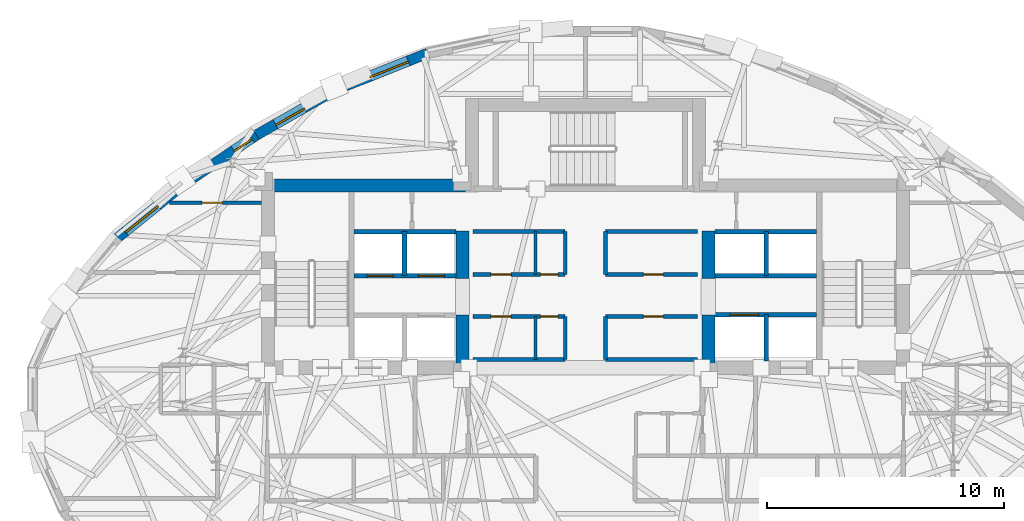
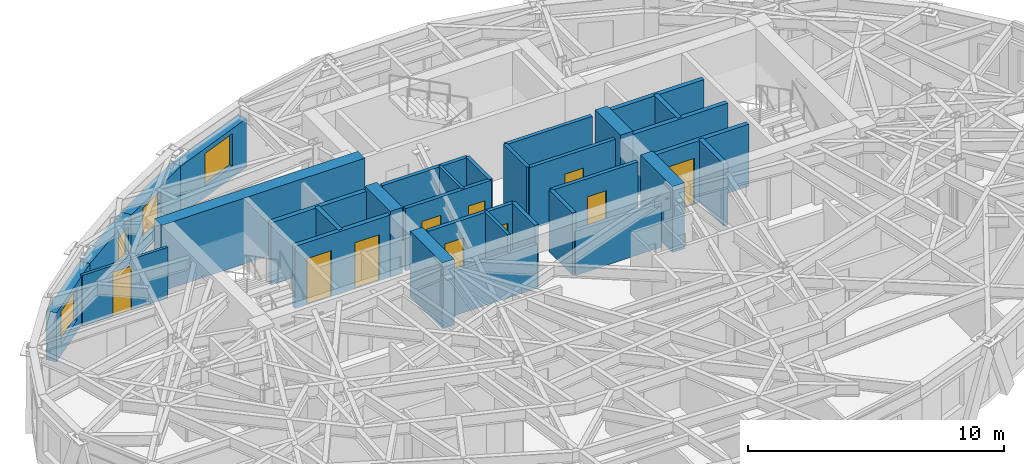
# One storey, part 8 of 14: 32 walls, 10 doors, 4 windows, 14 openings.
"""IFC4 building model written with IfcOpenShell, lengths in metres."""

from ifc_helpers import new_model, si_unit, direction, frame, frame_2d, origin, place, context, subcontext, project, spatial, rectangle, extrude, material, layer, layer_set, type_object, element, fill, save


model = new_model("IFC4")

# Units and contexts
model_context = context("Model", 3, precision=1e-05, world=origin(), true_north=direction((0.0, 1.0)))
body_context = subcontext(model_context, "Body", "Model", "MODEL_VIEW")
ifc_project = project(units=[si_unit("LENGTHUNIT", "METRE"), si_unit("AREAUNIT", "SQUARE_METRE"), si_unit("VOLUMEUNIT", "CUBIC_METRE"), si_unit("PLANEANGLEUNIT", "RADIAN"), si_unit("MASSUNIT", "GRAM", prefix="KILO")], contexts=[model_context])

# Site, building, storey
site_placement = place(None, origin())
site = spatial("IfcSite", under=ifc_project, at=site_placement, CompositionType="ELEMENT")
building_placement = place(site_placement, origin())
building = spatial("IfcBuilding", under=site, at=building_placement, Name="Keldmark Tower", CompositionType="ELEMENT")
storey_placement = place(building_placement, frame((0.0, 0.0, 213.14990234375)))
storey = spatial("IfcBuildingStorey", under=building, at=storey_placement, Name="L59", CompositionType="ELEMENT", Elevation=213.14990234375)

# Walls
ifc_material_1 = material(Name="Concrete C50/60", Category="concrete")
ifc_layer_1 = layer(ifc_material_1, 0.550048828125)
ifc_layer_set_1 = layer_set([ifc_layer_1], Name="Concrete C50/60")
wall_type_1 = type_object("IfcWallType", Name="High-Rise Core Shear Wall 550 mm", PredefinedType="SHEAR", material=ifc_layer_set_1)
wall_1_placement = place(storey_placement, frame((-13.699951171875, 9.27490234375, 0.0), z_axis=(0.0, 0.0, 1.0), x_axis=(1.0, 0.0, 0.0)))
element("IfcWall", 1, at=wall_1_placement, inside=storey, type_object=wall_type_1, Name="L59 West Core North Shear Wall", PredefinedType="SHEAR", context=body_context, shape_type="SweptSolid", body=[
    extrude(rectangle(XDim=9.175048828125, YDim=0.550048828125, at=frame_2d((4.58740234375, 0.0))), origin(), (0.0, 0.0, 1.0), 3.150146484375),
])
wall_2_placement = place(storey_placement, frame((-5.199951171875, 1.300048828125, 0.0), z_axis=(0.0, 0.0, 1.0), x_axis=(0.0, 1.0, 0.0)))
element("IfcWall", 2, at=wall_2_placement, inside=storey, type_object=wall_type_1, Name="L59 West Core Inner Shear Pier South", PredefinedType="SHEAR", context=body_context, shape_type="SweptSolid", body=[
    extrude(rectangle(XDim=2.5, YDim=0.550048828125, at=frame_2d((1.25, 0.0))), origin(), (0.0, 0.0, 1.0), 3.150146484375),
])
wall_3_placement = place(storey_placement, frame((-5.199951171875, 5.35009765625, 0.0), z_axis=(0.0, 0.0, 1.0), x_axis=(0.0, 1.0, 0.0)))
element("IfcWall", 3, at=wall_3_placement, inside=storey, type_object=wall_type_1, Name="L59 West Core Inner Shear Pier North", PredefinedType="SHEAR", context=body_context, shape_type="SweptSolid", body=[
    extrude(rectangle(XDim=2.0, YDim=0.550048828125, at=frame_2d((1.0, 0.0))), origin(), (0.0, 0.0, 1.0), 3.150146484375),
])
wall_4_placement = place(storey_placement, frame((5.199951171875, 1.300048828125, 0.0), z_axis=(0.0, 0.0, 1.0), x_axis=(0.0, 1.0, 0.0)))
element("IfcWall", 4, at=wall_4_placement, inside=storey, type_object=wall_type_1, Name="L59 East Core Inner Shear Pier South", PredefinedType="SHEAR", context=body_context, shape_type="SweptSolid", body=[
    extrude(rectangle(XDim=2.5, YDim=0.550048828125, at=frame_2d((1.25, 0.0))), origin(), (0.0, 0.0, 1.0), 3.150146484375),
])
wall_5_placement = place(storey_placement, frame((5.199951171875, 5.35009765625, 0.0), z_axis=(0.0, 0.0, 1.0), x_axis=(0.0, 1.0, 0.0)))
element("IfcWall", 5, at=wall_5_placement, inside=storey, type_object=wall_type_1, Name="L59 East Core Inner Shear Pier North", PredefinedType="SHEAR", context=body_context, shape_type="SweptSolid", body=[
    extrude(rectangle(XDim=2.0, YDim=0.550048828125, at=frame_2d((1.0, 0.0))), origin(), (0.0, 0.0, 1.0), 3.150146484375),
])
ifc_material_2 = material(Name="Acoustic Gypsum Board Interior Partition", Category="gypsum")
ifc_layer_2 = layer(ifc_material_2, 0.1298828125)
ifc_layer_set_2 = layer_set([ifc_layer_2], Name="Acoustic Gypsum Board Interior Partition")
wall_type_2 = type_object("IfcWallType", Name="Interior Partition 130 mm", PredefinedType="PARTITIONING", material=ifc_layer_set_2)
wall_6_placement = place(storey_placement, frame((-2.10009765625, 1.919921875, 0.0), z_axis=(0.0, 0.0, 1.0), x_axis=(0.0, 1.0, 0.0)))
element("IfcWall", 6, at=wall_6_placement, inside=storey, type_object=wall_type_2, Name="L59 Interior Partition 130 mm REC-LW-M", PredefinedType="PARTITIONING", context=body_context, shape_type="SweptSolid", body=[
    extrude(rectangle(XDim=1.820068359375, YDim=0.1298828125, at=frame_2d((0.91015625, 0.0))), origin(), (0.0, 0.0, 1.0), 2.97021484375),
])
wall_7_placement = place(storey_placement, frame((-2.10009765625, 5.52001953125, 0.0), z_axis=(0.0, 0.0, 1.0), x_axis=(0.0, 1.0, 0.0)))
element("IfcWall", 7, at=wall_7_placement, inside=storey, type_object=wall_type_2, Name="L59 Interior Partition 130 mm REC-MW-M", PredefinedType="PARTITIONING", context=body_context, shape_type="SweptSolid", body=[
    extrude(rectangle(XDim=1.81005859375, YDim=0.1298828125, at=frame_2d((0.905029296875, 0.0))), origin(), (0.0, 0.0, 1.0), 2.97021484375),
])

# Wall, opening, door
wall_8_placement = place(storey_placement, frame((-17.581787109375, 8.550048828125, 0.0), z_axis=(0.0, 0.0, 1.0), x_axis=(1.0, 0.0, 0.0)))
wall_8 = element("IfcWall", 8, at=wall_8_placement, inside=storey, type_object=wall_type_2, Name="L59 Interior Partition 130 mm UC-NDIV2", PredefinedType="PARTITIONING", context=body_context, shape_type="SweptSolid", body=[
    extrude(rectangle(XDim=3.8818359375, YDim=0.1298828125, at=frame_2d((1.94091796875, 0.0))), origin(), (0.0, 0.0, 1.0), 2.423095703125),
])
opening_1_placement = place(wall_8_placement, frame((1.38134765625, 0.0, 0.0)))
opening_1 = element("IfcOpeningElement", 9, at=opening_1_placement, cuts=wall_8, Name="Opening D-IN085", PredefinedType="OPENING", context=body_context, shape_type="SweptSolid", body=[
    extrude(rectangle(XDim=0.85009765625, YDim=2.10009765625, at=frame_2d((0.425048828125, 1.050048828125))), frame((0.0, 0.074951171875, 0.0), z_axis=(0.0, -1.0, 0.0), x_axis=(1.0, 0.0, 0.0)), (0.0, 0.0, 1.0), 0.14990234375),
])
ifc_material_3 = material(Name="Painted Architectural Wood", Category="wood")
door_type_1 = type_object("IfcDoorType", Name="Interior Door 850x2100", OperationType="NOTDEFINED", PredefinedType="DOOR", material=ifc_material_3)
door_1_placement = place(opening_1_placement, origin())
door_1 = element("IfcDoor", 10, at=door_1_placement, inside=storey, type_object=door_type_1, Name="L59 Interior Door 850x2100 D-UC-BR2-L59", OperationType="SINGLE_SWING_RIGHT", OverallHeight=2.10009765625, OverallWidth=0.85009765625, PredefinedType="DOOR", context=body_context, shape_type="SweptSolid", body=[
    extrude(rectangle(XDim=0.85009765625, YDim=2.10009765625, at=frame_2d((0.425048828125, 1.050048828125))), frame((0.0, 0.02490234375, 0.0), z_axis=(0.0, -1.0, 0.0), x_axis=(1.0, 0.0, 0.0)), (0.0, 0.0, 1.0), 0.050048828125),
])
fill(opening_1, door_1)

# Wall
ifc_material_4 = material(Name="Type X Fire-Rated Gypsum Partition Assembly", Category="gypsum")
ifc_layer_3 = layer(ifc_material_4, 0.1650390625)
ifc_layer_set_3 = layer_set([ifc_layer_3], Name="Type X Fire-Rated Gypsum Partition Assembly")
wall_type_3 = type_object("IfcWallType", Name="Rated Partition 165 mm", PredefinedType="PARTITIONING", material=ifc_layer_set_3)
wall_9_placement = place(storey_placement, frame((-4.739990234375, 1.919921875, 0.0), z_axis=(0.0, 0.0, 1.0), x_axis=(1.0, 0.0, 0.0)))
element("IfcWall", 11, at=wall_9_placement, inside=storey, type_object=wall_type_3, Name="L59 Rated Partition 165 mm REC-LW-S", PredefinedType="PARTITIONING", context=body_context, shape_type="SweptSolid", body=[
    extrude(rectangle(XDim=3.889892578125, YDim=0.1650390625, at=frame_2d((1.94482421875, 0.0))), origin(), (0.0, 0.0, 1.0), 2.110107421875),
])

# Wall, openings, doors
wall_10_placement = place(storey_placement, frame((-4.739990234375, 3.739990234375, 0.0), z_axis=(0.0, 0.0, 1.0), x_axis=(1.0, 0.0, 0.0)))
wall_10 = element("IfcWall", 12, at=wall_10_placement, inside=storey, type_object=wall_type_3, Name="L59 Rated Partition 165 mm REC-LW-N", PredefinedType="PARTITIONING", context=body_context, shape_type="SweptSolid", body=[
    extrude(rectangle(XDim=3.889892578125, YDim=0.1650390625, at=frame_2d((1.94482421875, 0.0))), origin(), (0.0, 0.0, 1.0), 2.97021484375),
])
opening_2_placement = place(wall_10_placement, frame((0.75, 0.0, 0.0)))
opening_2 = element("IfcOpeningElement", 13, at=opening_2_placement, cuts=wall_10, Name="Opening D-SV085", PredefinedType="OPENING", context=body_context, shape_type="SweptSolid", body=[
    extrude(rectangle(XDim=0.85009765625, YDim=2.10009765625, at=frame_2d((0.425048828125, 1.050048828125))), frame((0.0, 0.092529296875, 0.0), z_axis=(0.0, -1.0, 0.0), x_axis=(1.0, 0.0, 0.0)), (0.0, 0.0, 1.0), 0.18505859375),
])
opening_3_placement = place(wall_10_placement, frame((2.840087890625, 0.0, 0.0)))
opening_3 = element("IfcOpeningElement", 14, at=opening_3_placement, cuts=wall_10, Name="Opening D-RS075", PredefinedType="OPENING", context=body_context, shape_type="SweptSolid", body=[
    extrude(rectangle(XDim=0.75, YDim=2.10009765625, at=frame_2d((0.375, 1.050048828125))), frame((0.0, 0.092529296875, 0.0), z_axis=(0.0, -1.0, 0.0), x_axis=(1.0, 0.0, 0.0)), (0.0, 0.0, 1.0), 0.18505859375),
])
ifc_material_5 = material(Name="Galvanized Fire-Rated Access Leaf", Category="metal")
door_type_2 = type_object("IfcDoorType", Name="Riser Access Door 750x2100", OperationType="NOTDEFINED", PredefinedType="DOOR", material=ifc_material_5)
door_2_placement = place(opening_3_placement, origin())
door_2 = element("IfcDoor", 15, at=door_2_placement, inside=storey, type_object=door_type_2, Name="L59 Riser Access Door 750x2100 D-RECLW2-L59", OperationType="SINGLE_SWING_RIGHT", OverallHeight=2.10009765625, OverallWidth=0.75, PredefinedType="DOOR", context=body_context, shape_type="SweptSolid", body=[
    extrude(rectangle(XDim=0.75, YDim=2.10009765625, at=frame_2d((0.375, 1.050048828125))), frame((0.0, 0.02490234375, 0.0), z_axis=(0.0, -1.0, 0.0), x_axis=(1.0, 0.0, 0.0)), (0.0, 0.0, 1.0), 0.050048828125),
])
fill(opening_3, door_2)
ifc_material_6 = material(Name="Painted Hollow Metal Door Assembly", Category="metal")
door_type_3 = type_object("IfcDoorType", Name="Service Door 850x2100", OperationType="NOTDEFINED", PredefinedType="DOOR", material=ifc_material_6)
door_3_placement = place(opening_2_placement, origin())
door_3 = element("IfcDoor", 16, at=door_3_placement, inside=storey, type_object=door_type_3, Name="L59 Service Door 850x2100 D-RECLW1-L59", OperationType="SINGLE_SWING_LEFT", OverallHeight=2.10009765625, OverallWidth=0.85009765625, PredefinedType="DOOR", context=body_context, shape_type="SweptSolid", body=[
    extrude(rectangle(XDim=0.85009765625, YDim=2.10009765625, at=frame_2d((0.425048828125, 1.050048828125))), frame((0.0, 0.02490234375, 0.0), z_axis=(0.0, -1.0, 0.0), x_axis=(1.0, 0.0, 0.0)), (0.0, 0.0, 1.0), 0.050048828125),
])
fill(opening_2, door_3)

# Walls
wall_11_placement = place(storey_placement, frame((-0.85009765625, 1.919921875, 0.0), z_axis=(0.0, 0.0, 1.0), x_axis=(0.0, 1.0, 0.0)))
element("IfcWall", 17, at=wall_11_placement, inside=storey, type_object=wall_type_3, Name="L59 Rated Partition 165 mm REC-LW-E", PredefinedType="PARTITIONING", context=body_context, shape_type="SweptSolid", body=[
    extrude(rectangle(XDim=1.820068359375, YDim=0.1650390625, at=frame_2d((0.91015625, 0.0))), origin(), (0.0, 0.0, 1.0), 2.97021484375),
])
wall_12_placement = place(storey_placement, frame((0.85009765625, 1.919921875, 0.0), z_axis=(0.0, 0.0, 1.0), x_axis=(1.0, 0.0, 0.0)))
element("IfcWall", 18, at=wall_12_placement, inside=storey, type_object=wall_type_3, Name="L59 Rated Partition 165 mm REC-LE-S", PredefinedType="PARTITIONING", context=body_context, shape_type="SweptSolid", body=[
    extrude(rectangle(XDim=3.889892578125, YDim=0.1650390625, at=frame_2d((1.94482421875, 0.0))), origin(), (0.0, 0.0, 1.0), 2.110107421875),
])

# Wall, opening, door
wall_13_placement = place(storey_placement, frame((0.85009765625, 3.739990234375, 0.0), z_axis=(0.0, 0.0, 1.0), x_axis=(1.0, 0.0, 0.0)))
wall_13 = element("IfcWall", 19, at=wall_13_placement, inside=storey, type_object=wall_type_3, Name="L59 Rated Partition 165 mm REC-LE-N", PredefinedType="PARTITIONING", context=body_context, shape_type="SweptSolid", body=[
    extrude(rectangle(XDim=3.889892578125, YDim=0.1650390625, at=frame_2d((1.94482421875, 0.0))), origin(), (0.0, 0.0, 1.0), 2.97021484375),
])
opening_4_placement = place(wall_13_placement, frame((1.60009765625, 0.0, 0.0)))
opening_4 = element("IfcOpeningElement", 20, at=opening_4_placement, cuts=wall_13, Name="Opening D-SV085", PredefinedType="OPENING", context=body_context, shape_type="SweptSolid", body=[
    extrude(rectangle(XDim=0.85009765625, YDim=2.10009765625, at=frame_2d((0.425048828125, 1.050048828125))), frame((0.0, 0.092529296875, 0.0), z_axis=(0.0, -1.0, 0.0), x_axis=(1.0, 0.0, 0.0)), (0.0, 0.0, 1.0), 0.18505859375),
])
door_4_placement = place(opening_4_placement, origin())
door_4 = element("IfcDoor", 21, at=door_4_placement, inside=storey, type_object=door_type_3, Name="L59 Service Door 850x2100 D-RECLE1-L59", OperationType="SINGLE_SWING_LEFT", OverallHeight=2.10009765625, OverallWidth=0.85009765625, PredefinedType="DOOR", context=body_context, shape_type="SweptSolid", body=[
    extrude(rectangle(XDim=0.85009765625, YDim=2.10009765625, at=frame_2d((0.425048828125, 1.050048828125))), frame((0.0, 0.02490234375, 0.0), z_axis=(0.0, -1.0, 0.0), x_axis=(1.0, 0.0, 0.0)), (0.0, 0.0, 1.0), 0.050048828125),
])
fill(opening_4, door_4)

# Wall
wall_14_placement = place(storey_placement, frame((0.85009765625, 1.919921875, 0.0), z_axis=(0.0, 0.0, 1.0), x_axis=(0.0, 1.0, 0.0)))
element("IfcWall", 22, at=wall_14_placement, inside=storey, type_object=wall_type_3, Name="L59 Rated Partition 165 mm REC-LE-W", PredefinedType="PARTITIONING", context=body_context, shape_type="SweptSolid", body=[
    extrude(rectangle(XDim=1.820068359375, YDim=0.1650390625, at=frame_2d((0.91015625, 0.0))), origin(), (0.0, 0.0, 1.0), 2.97021484375),
])

# Wall, openings, doors
wall_15_placement = place(storey_placement, frame((-4.739990234375, 5.52001953125, 0.0), z_axis=(0.0, 0.0, 1.0), x_axis=(1.0, 0.0, 0.0)))
wall_15 = element("IfcWall", 23, at=wall_15_placement, inside=storey, type_object=wall_type_3, Name="L59 Rated Partition 165 mm REC-MW-S", PredefinedType="PARTITIONING", context=body_context, shape_type="SweptSolid", body=[
    extrude(rectangle(XDim=3.889892578125, YDim=0.1650390625, at=frame_2d((1.94482421875, 0.0))), origin(), (0.0, 0.0, 1.0), 2.97021484375),
])
opening_5_placement = place(wall_15_placement, frame((0.75, 0.0, 0.0)))
opening_5 = element("IfcOpeningElement", 24, at=opening_5_placement, cuts=wall_15, Name="Opening D-SV085", PredefinedType="OPENING", context=body_context, shape_type="SweptSolid", body=[
    extrude(rectangle(XDim=0.85009765625, YDim=2.10009765625, at=frame_2d((0.425048828125, 1.050048828125))), frame((0.0, 0.092529296875, 0.0), z_axis=(0.0, -1.0, 0.0), x_axis=(1.0, 0.0, 0.0)), (0.0, 0.0, 1.0), 0.18505859375),
])
opening_6_placement = place(wall_15_placement, frame((2.840087890625, 0.0, 0.0)))
opening_6 = element("IfcOpeningElement", 25, at=opening_6_placement, cuts=wall_15, Name="Opening D-RS075", PredefinedType="OPENING", context=body_context, shape_type="SweptSolid", body=[
    extrude(rectangle(XDim=0.75, YDim=2.10009765625, at=frame_2d((0.375, 1.050048828125))), frame((0.0, 0.092529296875, 0.0), z_axis=(0.0, -1.0, 0.0), x_axis=(1.0, 0.0, 0.0)), (0.0, 0.0, 1.0), 0.18505859375),
])
door_5_placement = place(opening_6_placement, origin())
door_5 = element("IfcDoor", 26, at=door_5_placement, inside=storey, type_object=door_type_2, Name="L59 Riser Access Door 750x2100 D-RECMW2-L59", OperationType="SINGLE_SWING_RIGHT", OverallHeight=2.10009765625, OverallWidth=0.75, PredefinedType="DOOR", context=body_context, shape_type="SweptSolid", body=[
    extrude(rectangle(XDim=0.75, YDim=2.10009765625, at=frame_2d((0.375, 1.050048828125))), frame((0.0, 0.02490234375, 0.0), z_axis=(0.0, -1.0, 0.0), x_axis=(1.0, 0.0, 0.0)), (0.0, 0.0, 1.0), 0.050048828125),
])
fill(opening_6, door_5)
door_6_placement = place(opening_5_placement, origin())
door_6 = element("IfcDoor", 27, at=door_6_placement, inside=storey, type_object=door_type_3, Name="L59 Service Door 850x2100 D-RECMW1-L59", OperationType="SINGLE_SWING_RIGHT", OverallHeight=2.10009765625, OverallWidth=0.85009765625, PredefinedType="DOOR", context=body_context, shape_type="SweptSolid", body=[
    extrude(rectangle(XDim=0.85009765625, YDim=2.10009765625, at=frame_2d((0.425048828125, 1.050048828125))), frame((0.0, 0.02490234375, 0.0), z_axis=(0.0, -1.0, 0.0), x_axis=(1.0, 0.0, 0.0)), (0.0, 0.0, 1.0), 0.050048828125),
])
fill(opening_5, door_6)

# Walls
wall_16_placement = place(storey_placement, frame((-4.739990234375, 7.330078125, 0.0), z_axis=(0.0, 0.0, 1.0), x_axis=(1.0, 0.0, 0.0)))
element("IfcWall", 28, at=wall_16_placement, inside=storey, type_object=wall_type_3, Name="L59 Rated Partition 165 mm REC-MW-N", PredefinedType="PARTITIONING", context=body_context, shape_type="SweptSolid", body=[
    extrude(rectangle(XDim=3.889892578125, YDim=0.1650390625, at=frame_2d((1.94482421875, 0.0))), origin(), (0.0, 0.0, 1.0), 2.97021484375),
])
wall_17_placement = place(storey_placement, frame((-0.85009765625, 5.52001953125, 0.0), z_axis=(0.0, 0.0, 1.0), x_axis=(0.0, 1.0, 0.0)))
element("IfcWall", 29, at=wall_17_placement, inside=storey, type_object=wall_type_3, Name="L59 Rated Partition 165 mm REC-MW-E", PredefinedType="PARTITIONING", context=body_context, shape_type="SweptSolid", body=[
    extrude(rectangle(XDim=1.81005859375, YDim=0.1650390625, at=frame_2d((0.905029296875, 0.0))), origin(), (0.0, 0.0, 1.0), 2.97021484375),
])

# Wall, opening, door
wall_18_placement = place(storey_placement, frame((0.85009765625, 5.52001953125, 0.0), z_axis=(0.0, 0.0, 1.0), x_axis=(1.0, 0.0, 0.0)))
wall_18 = element("IfcWall", 30, at=wall_18_placement, inside=storey, type_object=wall_type_3, Name="L59 Rated Partition 165 mm REC-ME-S", PredefinedType="PARTITIONING", context=body_context, shape_type="SweptSolid", body=[
    extrude(rectangle(XDim=3.889892578125, YDim=0.1650390625, at=frame_2d((1.94482421875, 0.0))), origin(), (0.0, 0.0, 1.0), 2.97021484375),
])
opening_7_placement = place(wall_18_placement, frame((1.60009765625, 0.0, 0.0)))
opening_7 = element("IfcOpeningElement", 31, at=opening_7_placement, cuts=wall_18, Name="Opening D-SV085", PredefinedType="OPENING", context=body_context, shape_type="SweptSolid", body=[
    extrude(rectangle(XDim=0.85009765625, YDim=2.10009765625, at=frame_2d((0.425048828125, 1.050048828125))), frame((0.0, 0.092529296875, 0.0), z_axis=(0.0, -1.0, 0.0), x_axis=(1.0, 0.0, 0.0)), (0.0, 0.0, 1.0), 0.18505859375),
])
door_7_placement = place(opening_7_placement, origin())
door_7 = element("IfcDoor", 32, at=door_7_placement, inside=storey, type_object=door_type_3, Name="L59 Service Door 850x2100 D-RECME1-L59", OperationType="SINGLE_SWING_RIGHT", OverallHeight=2.10009765625, OverallWidth=0.85009765625, PredefinedType="DOOR", context=body_context, shape_type="SweptSolid", body=[
    extrude(rectangle(XDim=0.85009765625, YDim=2.10009765625, at=frame_2d((0.425048828125, 1.050048828125))), frame((0.0, 0.02490234375, 0.0), z_axis=(0.0, -1.0, 0.0), x_axis=(1.0, 0.0, 0.0)), (0.0, 0.0, 1.0), 0.050048828125),
])
fill(opening_7, door_7)

# Walls
wall_19_placement = place(storey_placement, frame((0.85009765625, 7.330078125, 0.0), z_axis=(0.0, 0.0, 1.0), x_axis=(1.0, 0.0, 0.0)))
element("IfcWall", 33, at=wall_19_placement, inside=storey, type_object=wall_type_3, Name="L59 Rated Partition 165 mm REC-ME-N", PredefinedType="PARTITIONING", context=body_context, shape_type="SweptSolid", body=[
    extrude(rectangle(XDim=3.889892578125, YDim=0.1650390625, at=frame_2d((1.94482421875, 0.0))), origin(), (0.0, 0.0, 1.0), 2.97021484375),
])
wall_20_placement = place(storey_placement, frame((0.85009765625, 5.52001953125, 0.0), z_axis=(0.0, 0.0, 1.0), x_axis=(0.0, 1.0, 0.0)))
element("IfcWall", 34, at=wall_20_placement, inside=storey, type_object=wall_type_3, Name="L59 Rated Partition 165 mm REC-ME-W", PredefinedType="PARTITIONING", context=body_context, shape_type="SweptSolid", body=[
    extrude(rectangle(XDim=1.81005859375, YDim=0.1650390625, at=frame_2d((0.905029296875, 0.0))), origin(), (0.0, 0.0, 1.0), 2.97021484375),
])

# Wall, openings, doors
ifc_material_7 = material(Name="Fire-Resistant Type X Gypsum Shaftliner Coreboard", Category="gypsum")
ifc_layer_4 = layer(ifc_material_7, 0.199951171875)
ifc_layer_set_4 = layer_set([ifc_layer_4], Name="Fire-Resistant Type X Gypsum Shaftliner Coreboard")
wall_type_4 = type_object("IfcWallType", Name="Shaft Wall 200 mm", PredefinedType="SOLIDWALL", material=ifc_layer_set_4)
wall_21_placement = place(storey_placement, frame((-9.780029296875, 5.469970703125, 0.0), z_axis=(0.0, 0.0, 1.0), x_axis=(1.0, 0.0, 0.0)))
wall_21 = element("IfcWall", 35, at=wall_21_placement, inside=storey, type_object=wall_type_4, Name="L59 Shaft Wall 200 mm HW-W-N", PredefinedType="SOLIDWALL", context=body_context, shape_type="SweptSolid", body=[
    extrude(rectangle(XDim=4.304931640625, YDim=0.199951171875, at=frame_2d((2.15234375, 0.0))), origin(), (0.0, 0.0, 1.0), 2.97021484375),
])
opening_8_placement = place(wall_21_placement, frame((0.550048828125, 0.0, 0.0)))
opening_8 = element("IfcOpeningElement", 36, at=opening_8_placement, cuts=wall_21, Name="Opening LD-110", PredefinedType="OPENING", context=body_context, shape_type="SweptSolid", body=[
    extrude(rectangle(XDim=1.10009765625, YDim=2.199951171875, at=frame_2d((0.550048828125, 1.10009765625))), frame((0.0, 0.10986328125, 0.0), z_axis=(0.0, -1.0, 0.0), x_axis=(1.0, 0.0, 0.0)), (0.0, 0.0, 1.0), 0.219970703125),
])
opening_9_placement = place(wall_21_placement, frame((2.719970703125, 0.0, 0.0)))
opening_9 = element("IfcOpeningElement", 37, at=opening_9_placement, cuts=wall_21, Name="Opening LD-110", PredefinedType="OPENING", context=body_context, shape_type="SweptSolid", body=[
    extrude(rectangle(XDim=1.10009765625, YDim=2.199951171875, at=frame_2d((0.550048828125, 1.10009765625))), frame((0.0, 0.10986328125, 0.0), z_axis=(0.0, -1.0, 0.0), x_axis=(1.0, 0.0, 0.0)), (0.0, 0.0, 1.0), 0.219970703125),
])
ifc_material_8 = material(Name="Brushed Bronze Hoistway Sliding Leaf", Category="metal")
door_type_4 = type_object("IfcDoorType", Name="Lift Landing Sliding Door 1100x2200", OperationType="SLIDING_TO_LEFT", PredefinedType="DOOR", material=ifc_material_8)
door_8_placement = place(opening_8_placement, origin())
door_8 = element("IfcDoor", 38, at=door_8_placement, inside=storey, type_object=door_type_4, Name="L59 Lift Landing Sliding Door 1100x2200 LD-EL-H1-L59", OperationType="SLIDING_TO_LEFT", OverallHeight=2.199951171875, OverallWidth=1.10009765625, PredefinedType="DOOR", context=body_context, shape_type="SweptSolid", body=[
    extrude(rectangle(XDim=1.10009765625, YDim=2.199951171875, at=frame_2d((0.550048828125, 1.10009765625))), frame((0.0, 0.02490234375, 0.0), z_axis=(0.0, -1.0, 0.0), x_axis=(1.0, 0.0, 0.0)), (0.0, 0.0, 1.0), 0.050048828125),
])
fill(opening_8, door_8)
door_9_placement = place(opening_9_placement, origin())
door_9 = element("IfcDoor", 39, at=door_9_placement, inside=storey, type_object=door_type_4, Name="L59 Lift Landing Sliding Door 1100x2200 LD-EL-H2-L59", OperationType="SLIDING_TO_LEFT", OverallHeight=2.199951171875, OverallWidth=1.10009765625, PredefinedType="DOOR", context=body_context, shape_type="SweptSolid", body=[
    extrude(rectangle(XDim=1.10009765625, YDim=2.199951171875, at=frame_2d((0.550048828125, 1.10009765625))), frame((0.0, 0.02490234375, 0.0), z_axis=(0.0, -1.0, 0.0), x_axis=(1.0, 0.0, 0.0)), (0.0, 0.0, 1.0), 0.050048828125),
])
fill(opening_9, door_9)

# Walls
wall_22_placement = place(storey_placement, frame((-9.780029296875, 7.330078125, 0.0), z_axis=(0.0, 0.0, 1.0), x_axis=(1.0, 0.0, 0.0)))
element("IfcWall", 40, at=wall_22_placement, inside=storey, type_object=wall_type_4, Name="L59 Shaft Wall 200 mm HW-W-TOP", PredefinedType="SOLIDWALL", context=body_context, shape_type="SweptSolid", body=[
    extrude(rectangle(XDim=4.304931640625, YDim=0.199951171875, at=frame_2d((2.15234375, 0.0))), origin(), (0.0, 0.0, 1.0), 2.97021484375),
])
wall_23_placement = place(storey_placement, frame((-7.64990234375, 5.469970703125, 0.0), z_axis=(0.0, 0.0, 1.0), x_axis=(0.0, 1.0, 0.0)))
element("IfcWall", 41, at=wall_23_placement, inside=storey, type_object=wall_type_4, Name="L59 Shaft Wall 200 mm HW-W-NM", PredefinedType="SOLIDWALL", context=body_context, shape_type="SweptSolid", body=[
    extrude(rectangle(XDim=1.860107421875, YDim=0.199951171875, at=frame_2d((0.93017578125, 0.0))), origin(), (0.0, 0.0, 1.0), 2.97021484375),
])

# Wall, opening, door
wall_24_placement = place(storey_placement, frame((5.47509765625, 3.820068359375, 0.0), z_axis=(0.0, 0.0, 1.0), x_axis=(1.0, 0.0, 0.0)))
wall_24 = element("IfcWall", 42, at=wall_24_placement, inside=storey, type_object=wall_type_4, Name="L59 Shaft Wall 200 mm HW-E-S", PredefinedType="SOLIDWALL", context=body_context, shape_type="SweptSolid", body=[
    extrude(rectangle(XDim=4.304931640625, YDim=0.199951171875, at=frame_2d((2.15234375, 0.0))), origin(), (0.0, 0.0, 1.0), 2.97021484375),
])
opening_10_placement = place(wall_24_placement, frame((0.64990234375, 0.0, 0.0)))
opening_10 = element("IfcOpeningElement", 43, at=opening_10_placement, cuts=wall_24, Name="Opening LD-120", PredefinedType="OPENING", context=body_context, shape_type="SweptSolid", body=[
    extrude(rectangle(XDim=1.199951171875, YDim=2.199951171875, at=frame_2d((0.60009765625, 1.10009765625))), frame((0.0, 0.10986328125, 0.0), z_axis=(0.0, -1.0, 0.0), x_axis=(1.0, 0.0, 0.0)), (0.0, 0.0, 1.0), 0.219970703125),
])
ifc_material_9 = material(Name="Heavy-Duty Brushed Metal Hoistway Sliding Leaf", Category="metal")
door_type_5 = type_object("IfcDoorType", Name="Service Lift Sliding Door 1200x2200", OperationType="SLIDING_TO_RIGHT", PredefinedType="DOOR", material=ifc_material_9)
door_10_placement = place(opening_10_placement, origin())
door_10 = element("IfcDoor", 44, at=door_10_placement, inside=storey, type_object=door_type_5, Name="L59 Service Lift Sliding Door 1200x2200 LD-EL-SV1-L59", OperationType="SLIDING_TO_RIGHT", OverallHeight=2.199951171875, OverallWidth=1.199951171875, PredefinedType="DOOR", context=body_context, shape_type="SweptSolid", body=[
    extrude(rectangle(XDim=1.199951171875, YDim=2.199951171875, at=frame_2d((0.60009765625, 1.10009765625))), frame((0.0, 0.02490234375, 0.0), z_axis=(0.0, -1.0, 0.0), x_axis=(1.0, 0.0, 0.0)), (0.0, 0.0, 1.0), 0.050048828125),
])
fill(opening_10, door_10)

# Walls
wall_25_placement = place(storey_placement, frame((7.64990234375, 1.85009765625, 0.0), z_axis=(0.0, 0.0, 1.0), x_axis=(0.0, 1.0, 0.0)))
element("IfcWall", 45, at=wall_25_placement, inside=storey, type_object=wall_type_4, Name="L59 Shaft Wall 200 mm HW-E-M", PredefinedType="SOLIDWALL", context=body_context, shape_type="SweptSolid", body=[
    extrude(rectangle(XDim=1.969970703125, YDim=0.199951171875, at=frame_2d((0.98486328125, 0.0))), origin(), (0.0, 0.0, 1.0), 2.97021484375),
])
for number, where, z_axis, x_axis, name in (
    (46, (5.47509765625, 5.469970703125, 0.0), (0.0, 0.0, 1.0), (1.0, 0.0, 0.0), "L59 Shaft Wall 200 mm HW-E-N"),
    (47, (5.47509765625, 7.330078125, 0.0), (0.0, 0.0, 1.0), (1.0, 0.0, 0.0), "L59 Shaft Wall 200 mm HW-E-TOP"),
):
    element("IfcWall", number, at=place(storey_placement, frame(where, z_axis=z_axis, x_axis=x_axis)), inside=storey, type_object=wall_type_4, Name=name, PredefinedType="SOLIDWALL", context=body_context, shape_type="SweptSolid", body=[
        extrude(rectangle(XDim=4.304931640625, YDim=0.199951171875, at=frame_2d((2.15234375, 0.0))), origin(), (0.0, 0.0, 1.0), 2.97021484375),
    ])
wall_26_placement = place(storey_placement, frame((7.64990234375, 5.469970703125, 0.0), z_axis=(0.0, 0.0, 1.0), x_axis=(0.0, 1.0, 0.0)))
element("IfcWall", 48, at=wall_26_placement, inside=storey, type_object=wall_type_4, Name="L59 Shaft Wall 200 mm HW-E-NM", PredefinedType="SOLIDWALL", context=body_context, shape_type="SweptSolid", body=[
    extrude(rectangle(XDim=1.860107421875, YDim=0.199951171875, at=frame_2d((0.93017578125, 0.0))), origin(), (0.0, 0.0, 1.0), 2.97021484375),
])

# Wall, opening, window
ifc_material_10 = material(Name="Ironspot Manganese Brick and Kasota Buff Limestone Spandrel Assembly", Category="masonry")
ifc_layer_5 = layer(ifc_material_10, 0.43994140625)
ifc_layer_set_5 = layer_set([ifc_layer_5], Name="Ironspot Manganese Brick and Kasota Buff Limestone Spandrel Assembly")
wall_type_5 = type_object("IfcWallType", Name="Tower Brick Pier and Spandrel Wall 440 mm", PredefinedType="STANDARD", material=ifc_layer_set_5)
wall_27_placement = place(storey_placement, frame((-10.57568359375, 13.318115234375, 0.0), z_axis=(0.0, 0.0, 1.0), x_axis=(0.929170765931, 0.369650764558, 0.0)))
wall_27 = element("IfcWall", 49, at=wall_27_placement, inside=storey, type_object=wall_type_5, Name="L59 Exterior Brick and Spandrel Wall 10", PredefinedType="STANDARD", context=body_context, shape_type="SweptSolid", body=[
    extrude(rectangle(XDim=4.211181640625, YDim=0.43994140625, at=frame_2d((2.10546875, 0.0))), origin(), (0.0, 0.0, 1.0), 2.336181640625),
])
opening_11_placement = place(wall_27_placement, frame((1.573974609375, 0.0, 0.550048828125)))
opening_11 = element("IfcOpeningElement", 50, at=opening_11_placement, cuts=wall_27, Name="Opening W-05", PredefinedType="OPENING", context=body_context, shape_type="SweptSolid", body=[
    extrude(rectangle(XDim=1.75, YDim=1.550048828125, at=frame_2d((0.875, 0.77490234375))), frame((0.0, 0.22998046875, 0.0), z_axis=(0.0, -1.0, 0.0), x_axis=(1.0, 0.0, 0.0)), (0.0, 0.0, 1.0), 0.4599609375),
])
ifc_material_11 = material(Name="Thermally Broken Anodized Aluminum and Triple Low-E Argon Glazing", Category="aluminium")
window_type_1 = type_object("IfcWindowType", Name="Residential Deep-Set Window 1750x1550", PartitioningType="DOUBLE_PANEL_VERTICAL", PredefinedType="WINDOW", material=ifc_material_11)
window_1_placement = place(opening_11_placement, origin())
window_1 = element("IfcWindow", 51, at=window_1_placement, inside=storey, type_object=window_type_1, Name="L59 Deep-Set Window 10", OverallHeight=1.550048828125, OverallWidth=1.75, PartitioningType="SINGLE_PANEL", PredefinedType="WINDOW", context=body_context, shape_type="SweptSolid", body=[
    extrude(rectangle(XDim=1.75, YDim=1.550048828125, at=frame_2d((0.875, 0.77490234375))), frame((0.0, -0.010009765625, 0.0), z_axis=(0.0, -1.0, 0.0), x_axis=(1.0, 0.0, 0.0)), (0.0, 0.0, 1.0), 0.06005859375),
])
fill(opening_11, window_1)

wall_28_placement = place(storey_placement, frame((-13.921630859375, 11.404541015625, 0.0), z_axis=(0.0, 0.0, 1.0), x_axis=(0.868339797426, 0.495969753317, 0.0)))
wall_28 = element("IfcWall", 52, at=wall_28_placement, inside=storey, type_object=wall_type_5, Name="L59 Exterior Brick and Spandrel Wall 11", PredefinedType="STANDARD", context=body_context, shape_type="SweptSolid", body=[
    extrude(rectangle(XDim=3.88525390625, YDim=0.43994140625, at=frame_2d((1.942626953125, 0.0))), origin(), (0.0, 0.0, 1.0), 2.336181640625),
])
opening_12_placement = place(wall_28_placement, frame((0.94482421875, 0.0, 0.550048828125)))
opening_12 = element("IfcOpeningElement", 53, at=opening_12_placement, cuts=wall_28, Name="Opening W-08", PredefinedType="OPENING", context=body_context, shape_type="SweptSolid", body=[
    extrude(rectangle(XDim=1.39990234375, YDim=1.550048828125, at=frame_2d((0.699951171875, 0.77490234375))), frame((0.0, 0.22998046875, 0.0), z_axis=(0.0, -1.0, 0.0), x_axis=(1.0, 0.0, 0.0)), (0.0, 0.0, 1.0), 0.4599609375),
])
ifc_material_12 = material(Name="Thermally Broken Anodized Aluminum and Triple Low-E Argon Glazing", Category="aluminium")
window_type_2 = type_object("IfcWindowType", Name="Residential Corner Punched Window 1400x1550", PartitioningType="SINGLE_PANEL", PredefinedType="WINDOW", material=ifc_material_12)
window_2_placement = place(opening_12_placement, origin())
window_2 = element("IfcWindow", 54, at=window_2_placement, inside=storey, type_object=window_type_2, Name="L59 Deep-Set Window 11", OverallHeight=1.550048828125, OverallWidth=1.39990234375, PartitioningType="SINGLE_PANEL", PredefinedType="WINDOW", context=body_context, shape_type="SweptSolid", body=[
    extrude(rectangle(XDim=1.39990234375, YDim=1.550048828125, at=frame_2d((0.699951171875, 0.77490234375))), frame((0.0, -0.010009765625, 0.0), z_axis=(0.0, -1.0, 0.0), x_axis=(1.0, 0.0, 0.0)), (0.0, 0.0, 1.0), 0.06005859375),
])
fill(opening_12, window_2)

wall_29_placement = place(storey_placement, frame((-16.972900390625, 9.333984375, 0.0), z_axis=(0.0, 0.0, 1.0), x_axis=(0.827592777121, 0.561328954586, 0.0)))
wall_29 = element("IfcWall", 55, at=wall_29_placement, inside=storey, type_object=wall_type_5, Name="L59 Exterior Brick and Spandrel Wall 12", PredefinedType="STANDARD", context=body_context, shape_type="SweptSolid", body=[
    extrude(rectangle(XDim=3.704345703125, YDim=0.43994140625, at=frame_2d((1.85205078125, 0.0))), origin(), (0.0, 0.0, 1.0), 2.336181640625),
])
opening_13_placement = place(wall_29_placement, frame((2.555419921875, 0.0, 0.580078125)))
opening_13 = element("IfcOpeningElement", 56, at=opening_13_placement, cuts=wall_29, Name="Opening W-09", PredefinedType="OPENING", context=body_context, shape_type="SweptSolid", body=[
    extrude(rectangle(XDim=0.89990234375, YDim=1.35009765625, at=frame_2d((0.449951171875, 0.675048828125))), frame((0.0, 0.22998046875, 0.0), z_axis=(0.0, -1.0, 0.0), x_axis=(1.0, 0.0, 0.0)), (0.0, 0.0, 1.0), 0.4599609375),
])
ifc_material_13 = material(Name="Thermally Broken Anodized Aluminum and Triple Low-E Argon Glazing", Category="aluminium")
window_type_3 = type_object("IfcWindowType", Name="Corner Pier Deep-Set Window 900x1350", PartitioningType="SINGLE_PANEL", PredefinedType="WINDOW", material=ifc_material_13)
window_3_placement = place(opening_13_placement, origin())
window_3 = element("IfcWindow", 57, at=window_3_placement, inside=storey, type_object=window_type_3, Name="L59 Deep-Set Window 12", OverallHeight=1.35009765625, OverallWidth=0.89990234375, PartitioningType="SINGLE_PANEL", PredefinedType="WINDOW", context=body_context, shape_type="SweptSolid", body=[
    extrude(rectangle(XDim=0.89990234375, YDim=1.35009765625, at=frame_2d((0.449951171875, 0.675048828125))), frame((0.0, -0.010009765625, 0.0), z_axis=(0.0, -1.0, 0.0), x_axis=(1.0, 0.0, 0.0)), (0.0, 0.0, 1.0), 0.06005859375),
])
fill(opening_13, window_3)

wall_30_placement = place(storey_placement, frame((-19.799560546875, 7.056640625, 0.0), z_axis=(0.0, 0.0, 1.0), x_axis=(0.778794775864, 0.627278803314, 0.0)))
wall_30 = element("IfcWall", 58, at=wall_30_placement, inside=storey, type_object=wall_type_5, Name="L59 Exterior Brick and Spandrel Wall 13", PredefinedType="STANDARD", context=body_context, shape_type="SweptSolid", body=[
    extrude(rectangle(XDim=3.64794921875, YDim=0.43994140625, at=frame_2d((1.823974609375, 0.0))), origin(), (0.0, 0.0, 1.0), 2.336181640625),
])
opening_14_placement = place(wall_30_placement, frame((0.44970703125, 0.0, 0.550048828125)))
opening_14 = element("IfcOpeningElement", 59, at=opening_14_placement, cuts=wall_30, Name="Opening W-05", PredefinedType="OPENING", context=body_context, shape_type="SweptSolid", body=[
    extrude(rectangle(XDim=1.75, YDim=1.550048828125, at=frame_2d((0.875, 0.77490234375))), frame((0.0, 0.22998046875, 0.0), z_axis=(0.0, -1.0, 0.0), x_axis=(1.0, 0.0, 0.0)), (0.0, 0.0, 1.0), 0.4599609375),
])
window_4_placement = place(opening_14_placement, origin())
window_4 = element("IfcWindow", 60, at=window_4_placement, inside=storey, type_object=window_type_1, Name="L59 Deep-Set Window 13", OverallHeight=1.550048828125, OverallWidth=1.75, PartitioningType="SINGLE_PANEL", PredefinedType="WINDOW", context=body_context, shape_type="SweptSolid", body=[
    extrude(rectangle(XDim=1.75, YDim=1.550048828125, at=frame_2d((0.875, 0.77490234375))), frame((0.0, -0.010009765625, 0.0), z_axis=(0.0, -1.0, 0.0), x_axis=(1.0, 0.0, 0.0)), (0.0, 0.0, 1.0), 0.06005859375),
])
fill(opening_14, window_4)

save(model, "model.ifc")
